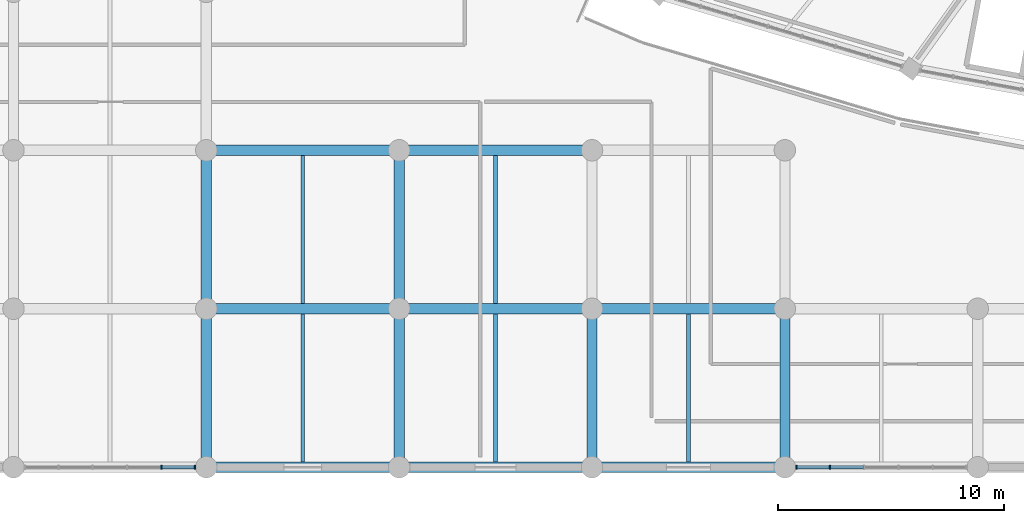
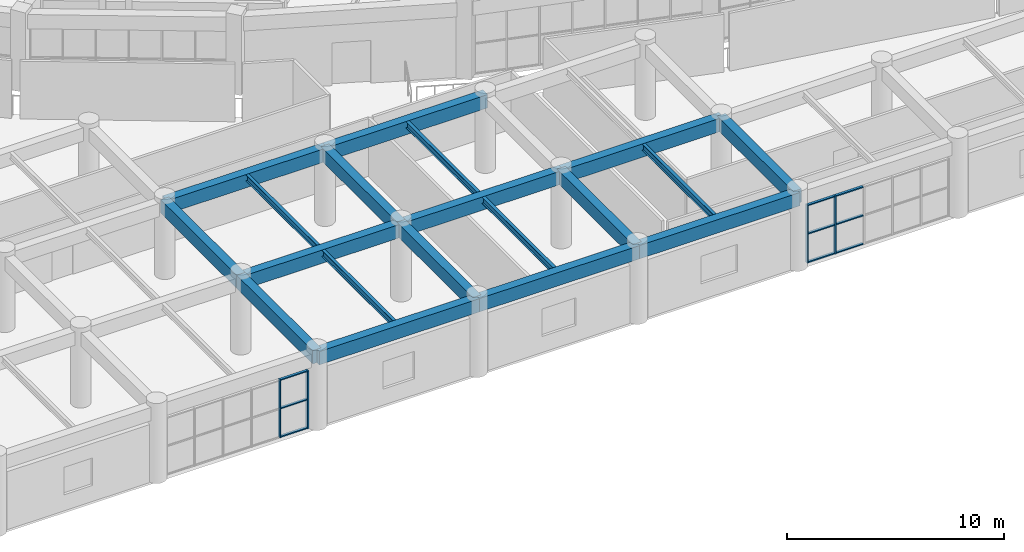
# One storey, part 13 of 141: 19 beams, 13 members, 2 elements without a shape of their own.
"""IFC4 building model written with IfcOpenShell, lengths in metres."""

from ifc_helpers import new_model, si_unit, direction, frame, origin, origin_2d, place, context, subcontext, project, spatial, rectangle, i_section, extrude, material, layer, layer_set, material_profile, profile_set, type_object, element, aggregate, save


model = new_model("IFC4")

# Units and contexts
model_context = context("Model", 3, precision=1e-05, world=origin(), true_north=direction((0.0, 1.0)))
body_context = subcontext(model_context, "Body", "Model", "MODEL_VIEW")
ifc_project = project(units=[si_unit("LENGTHUNIT", "METRE"), si_unit("AREAUNIT", "SQUARE_METRE"), si_unit("VOLUMEUNIT", "CUBIC_METRE"), si_unit("PLANEANGLEUNIT", "RADIAN"), si_unit("MASSUNIT", "GRAM", prefix="KILO")], contexts=[model_context])

# Site, building, storey
site_placement = place(None, origin())
site = spatial("IfcSite", under=ifc_project, at=site_placement, CompositionType="ELEMENT")
building_placement = place(site_placement, origin())
building = spatial("IfcBuilding", under=site, at=building_placement, Name="Mphavela Belvedere Stadium", CompositionType="ELEMENT")
storey_placement = place(building_placement, frame((0.0, 0.0, 14.699951171875)))
storey = spatial("IfcBuildingStorey", under=building, at=storey_placement, Name="L03", CompositionType="ELEMENT", Elevation=14.699951171875)

# Beams
ifc_material_1 = material(Name="Steel S355", Category="steel")
ifc_material_profile_1 = material_profile(ifc_material_1, i_section(OverallWidth=0.169921875, OverallDepth=0.360107421875, WebThickness=0.008056640625, FlangeThickness=0.0126953125, at=origin_2d()), Name="IPE 360")
ifc_profile_set_1 = profile_set([ifc_material_profile_1], Name="Steel S355")
beam_type_1 = type_object("IfcBeamType", Name="BM-JOIST-IPE360", PredefinedType="JOIST", material=ifc_profile_set_1)
for number, where, z_axis, x_axis, name in (
    (1, (38.33349609375, 0.22509765625, 4.06005859375), (0.0, 1.0, 0.0), (-1.0, 0.0, 0.0), "South Axial Triumphal Peristyle Portico secondary joist L03 5-1"),
    (2, (38.33349609375, 7.22509765625, 4.06005859375), (0.0, 1.0, 0.0), (-1.0, 0.0, 0.0), "South Axial Triumphal Peristyle Portico secondary joist L03 5-2"),
    (3, (46.85205078125, 0.22509765625, 4.06005859375), (0.0, 1.0, 0.0), (-1.0, 0.0, 0.0), "South Axial Triumphal Peristyle Portico secondary joist L03 6-1"),
    (4, (46.85205078125, 7.22509765625, 4.06005859375), (0.0, 1.0, 0.0), (-1.0, 0.0, 0.0), "South Axial Triumphal Peristyle Portico secondary joist L03 6-2"),
    (5, (55.37060546875, 0.22509765625, 4.06005859375), (0.0, 1.0, 0.0), (-1.0, 0.0, 0.0), "South Axial Triumphal Peristyle Portico secondary joist L03 7-1"),
):
    element("IfcBeam", number, at=place(storey_placement, frame(where, z_axis=z_axis, x_axis=x_axis)), inside=storey, type_object=beam_type_1, Name=name, PredefinedType="JOIST", context=body_context, shape_type="SweptSolid", body=[
        extrude(i_section(OverallWidth=0.169921875, OverallDepth=0.360107421875, WebThickness=0.008056640625, FlangeThickness=0.0126953125, at=origin_2d()), origin(), (0.0, 0.0, 1.0), 6.5498046875),
    ])
ifc_material_2 = material(Name="Concrete C40/50", Category="concrete")
ifc_material_profile_2 = material_profile(ifc_material_2, rectangle(XDim=0.449951171875, YDim=0.75, at=origin_2d()), Name="RC 450x750")
ifc_profile_set_2 = profile_set([ifc_material_profile_2], Name="Concrete C40/50")
beam_type_2 = type_object("IfcBeamType", Name="BM-RC450x750", PredefinedType="BEAM", material=ifc_profile_set_2)
beam_1_placement = place(storey_placement, frame((34.073974609375, 0.0, 3.864990234375), z_axis=(1.0, 0.0, 0.0), x_axis=(0.0, 1.0, 0.0)))
element("IfcBeam", 6, at=beam_1_placement, inside=storey, type_object=beam_type_2, Name="South Axial Triumphal Peristyle Portico entablature beam X L03 5-1", PredefinedType="BEAM", context=body_context, shape_type="SweptSolid", body=[
    extrude(rectangle(XDim=0.449951171875, YDim=0.75, at=origin_2d()), origin(), (0.0, 0.0, 1.0), 8.51904296875),
])
beam_2_placement = place(storey_placement, frame((34.073974609375, 0.0, 3.864990234375), z_axis=(0.0, 1.0, 0.0), x_axis=(-1.0, 0.0, 0.0)))
element("IfcBeam", 7, at=beam_2_placement, inside=storey, type_object=beam_type_2, Name="South Axial Triumphal Peristyle Portico entablature beam Y L03 5-1", PredefinedType="BEAM", context=body_context, shape_type="SweptSolid", body=[
    extrude(rectangle(XDim=0.449951171875, YDim=0.75, at=origin_2d()), origin(), (0.0, 0.0, 1.0), 7.0),
])
beam_3_placement = place(storey_placement, frame((34.073974609375, 7.0, 3.864990234375), z_axis=(1.0, 0.0, 0.0), x_axis=(0.0, 1.0, 0.0)))
element("IfcBeam", 8, at=beam_3_placement, inside=storey, type_object=beam_type_2, Name="South Axial Triumphal Peristyle Portico entablature beam X L03 5-2", PredefinedType="BEAM", context=body_context, shape_type="SweptSolid", body=[
    extrude(rectangle(XDim=0.449951171875, YDim=0.75, at=origin_2d()), origin(), (0.0, 0.0, 1.0), 8.51904296875),
])
beam_4_placement = place(storey_placement, frame((34.073974609375, 7.0, 3.864990234375), z_axis=(0.0, 1.0, 0.0), x_axis=(-1.0, 0.0, 0.0)))
element("IfcBeam", 9, at=beam_4_placement, inside=storey, type_object=beam_type_2, Name="South Axial Triumphal Peristyle Portico entablature beam Y L03 5-2", PredefinedType="BEAM", context=body_context, shape_type="SweptSolid", body=[
    extrude(rectangle(XDim=0.449951171875, YDim=0.75, at=origin_2d()), origin(), (0.0, 0.0, 1.0), 7.0),
])
beam_5_placement = place(storey_placement, frame((34.073974609375, 14.0, 3.864990234375), z_axis=(1.0, 0.0, 0.0), x_axis=(0.0, 1.0, 0.0)))
element("IfcBeam", 10, at=beam_5_placement, inside=storey, type_object=beam_type_2, Name="South Axial Triumphal Peristyle Portico entablature beam X L03 5-3", PredefinedType="BEAM", context=body_context, shape_type="SweptSolid", body=[
    extrude(rectangle(XDim=0.449951171875, YDim=0.75, at=origin_2d()), origin(), (0.0, 0.0, 1.0), 8.51904296875),
])
beam_6_placement = place(storey_placement, frame((42.593017578125, 0.0, 3.864990234375), z_axis=(1.0, 0.0, 0.0), x_axis=(0.0, 1.0, 0.0)))
element("IfcBeam", 11, at=beam_6_placement, inside=storey, type_object=beam_type_2, Name="South Axial Triumphal Peristyle Portico entablature beam X L03 6-1", PredefinedType="BEAM", context=body_context, shape_type="SweptSolid", body=[
    extrude(rectangle(XDim=0.449951171875, YDim=0.75, at=origin_2d()), origin(), (0.0, 0.0, 1.0), 8.51806640625),
])
beam_7_placement = place(storey_placement, frame((42.593017578125, 0.0, 3.864990234375), z_axis=(0.0, 1.0, 0.0), x_axis=(-1.0, 0.0, 0.0)))
element("IfcBeam", 12, at=beam_7_placement, inside=storey, type_object=beam_type_2, Name="South Axial Triumphal Peristyle Portico entablature beam Y L03 6-1", PredefinedType="BEAM", context=body_context, shape_type="SweptSolid", body=[
    extrude(rectangle(XDim=0.449951171875, YDim=0.75, at=origin_2d()), origin(), (0.0, 0.0, 1.0), 7.0),
])
beam_8_placement = place(storey_placement, frame((42.593017578125, 7.0, 3.864990234375), z_axis=(1.0, 0.0, 0.0), x_axis=(0.0, 1.0, 0.0)))
element("IfcBeam", 13, at=beam_8_placement, inside=storey, type_object=beam_type_2, Name="South Axial Triumphal Peristyle Portico entablature beam X L03 6-2", PredefinedType="BEAM", context=body_context, shape_type="SweptSolid", body=[
    extrude(rectangle(XDim=0.449951171875, YDim=0.75, at=origin_2d()), origin(), (0.0, 0.0, 1.0), 8.51806640625),
])
beam_9_placement = place(storey_placement, frame((42.593017578125, 7.0, 3.864990234375), z_axis=(0.0, 1.0, 0.0), x_axis=(-1.0, 0.0, 0.0)))
element("IfcBeam", 14, at=beam_9_placement, inside=storey, type_object=beam_type_2, Name="South Axial Triumphal Peristyle Portico entablature beam Y L03 6-2", PredefinedType="BEAM", context=body_context, shape_type="SweptSolid", body=[
    extrude(rectangle(XDim=0.449951171875, YDim=0.75, at=origin_2d()), origin(), (0.0, 0.0, 1.0), 7.0),
])
beam_10_placement = place(storey_placement, frame((42.593017578125, 14.0, 3.864990234375), z_axis=(1.0, 0.0, 0.0), x_axis=(0.0, 1.0, 0.0)))
element("IfcBeam", 15, at=beam_10_placement, inside=storey, type_object=beam_type_2, Name="South Axial Triumphal Peristyle Portico entablature beam X L03 6-3", PredefinedType="BEAM", context=body_context, shape_type="SweptSolid", body=[
    extrude(rectangle(XDim=0.449951171875, YDim=0.75, at=origin_2d()), origin(), (0.0, 0.0, 1.0), 8.51806640625),
])
beam_11_placement = place(storey_placement, frame((51.111083984375, 0.0, 3.864990234375), z_axis=(1.0, 0.0, 0.0), x_axis=(0.0, 1.0, 0.0)))
element("IfcBeam", 16, at=beam_11_placement, inside=storey, type_object=beam_type_2, Name="South Axial Triumphal Peristyle Portico entablature beam X L03 7-1", PredefinedType="BEAM", context=body_context, shape_type="SweptSolid", body=[
    extrude(rectangle(XDim=0.449951171875, YDim=0.75, at=origin_2d()), origin(), (0.0, 0.0, 1.0), 8.518798828125),
])
beam_12_placement = place(storey_placement, frame((51.111083984375, 0.0, 3.864990234375), z_axis=(0.0, 1.0, 0.0), x_axis=(-1.0, 0.0, 0.0)))
element("IfcBeam", 17, at=beam_12_placement, inside=storey, type_object=beam_type_2, Name="South Axial Triumphal Peristyle Portico entablature beam Y L03 7-1", PredefinedType="BEAM", context=body_context, shape_type="SweptSolid", body=[
    extrude(rectangle(XDim=0.449951171875, YDim=0.75, at=origin_2d()), origin(), (0.0, 0.0, 1.0), 7.0),
])
beam_13_placement = place(storey_placement, frame((51.111083984375, 7.0, 3.864990234375), z_axis=(1.0, 0.0, 0.0), x_axis=(0.0, 1.0, 0.0)))
element("IfcBeam", 18, at=beam_13_placement, inside=storey, type_object=beam_type_2, Name="South Axial Triumphal Peristyle Portico entablature beam X L03 7-2", PredefinedType="BEAM", context=body_context, shape_type="SweptSolid", body=[
    extrude(rectangle(XDim=0.449951171875, YDim=0.75, at=origin_2d()), origin(), (0.0, 0.0, 1.0), 8.518798828125),
])
beam_14_placement = place(storey_placement, frame((59.6298828125, 0.0, 3.864990234375), z_axis=(0.0, 1.0, 0.0), x_axis=(-1.0, 0.0, 0.0)))
element("IfcBeam", 19, at=beam_14_placement, inside=storey, type_object=beam_type_2, Name="South Axial Triumphal Peristyle Portico entablature beam Y L03 8-1", PredefinedType="BEAM", context=body_context, shape_type="SweptSolid", body=[
    extrude(rectangle(XDim=0.449951171875, YDim=0.75, at=origin_2d()), origin(), (0.0, 0.0, 1.0), 7.0),
])

# Curtain wall, members
ifc_material_3 = material(Name="Anodised bronze unitised curtain wall framing")
ifc_layer_1 = layer(ifc_material_3, 0.199951171875)
ifc_layer_set_1 = layer_set([ifc_layer_1], Name="Anodised bronze unitised curtain wall framing")
curtain_wall_type_1 = type_object("IfcCurtainWallType", Name="CW-UNIT-05", PredefinedType="USERDEFINED", material=ifc_layer_set_1)
curtain_wall_1_placement = place(storey_placement, origin())
curtain_wall_1 = element("IfcCurtainWall", 20, at=curtain_wall_1_placement, inside=storey, type_object=curtain_wall_type_1, Name="South Axial Triumphal Peristyle Portico gallery curtain wall L03-04", ObjectType="UNITISED CURTAIN WALL", PredefinedType="USERDEFINED")
ifc_material_4 = material(Name="Anodised bronze extruded aluminium", Category="aluminium")
ifc_material_profile_3 = material_profile(ifc_material_4, rectangle(XDim=0.179931640625, YDim=0.06494140625, at=origin_2d()), Name="CW-MUL 180x65")
ifc_profile_set_3 = profile_set([ifc_material_profile_3], Name="Anodised bronze extruded aluminium")
member_type_1 = type_object("IfcMemberType", Name="CWM-180x65", PredefinedType="MULLION", material=ifc_profile_set_3)
member_1_placement = place(storey_placement, frame((33.568603515625, 0.0, 0.0), z_axis=(0.0, 0.0, 1.0), x_axis=(0.0, -1.0, 0.0)))
member_1 = element("IfcMember", 21, at=member_1_placement, type_object=member_type_1, Name="CW-05 mullion 1", PredefinedType="MULLION", context=body_context, shape_type="SweptSolid", body=[
    extrude(rectangle(XDim=0.179931640625, YDim=0.06494140625, at=origin_2d()), origin(), (0.0, 0.0, 1.0), 3.260009765625),
])
member_2_placement = place(storey_placement, frame((32.086669921875, 0.0, 0.0), z_axis=(0.0, 0.0, 1.0), x_axis=(0.0, -1.0, 0.0)))
member_2 = element("IfcMember", 22, at=member_2_placement, type_object=member_type_1, Name="CW-05 mullion 2", PredefinedType="MULLION", context=body_context, shape_type="SweptSolid", body=[
    extrude(rectangle(XDim=0.179931640625, YDim=0.06494140625, at=origin_2d()), origin(), (0.0, 0.0, 1.0), 3.260009765625),
])

ifc_material_5 = material(Name="Anodised bronze unitised curtain wall framing")
ifc_layer_2 = layer(ifc_material_5, 0.205078125)
ifc_layer_set_2 = layer_set([ifc_layer_2], Name="Anodised bronze unitised curtain wall framing")
curtain_wall_type_2 = type_object("IfcCurtainWallType", Name="CW-UNIT-06", PredefinedType="USERDEFINED", material=ifc_layer_set_2)
curtain_wall_2_placement = place(storey_placement, origin())
curtain_wall_2 = element("IfcCurtainWall", 23, at=curtain_wall_2_placement, inside=storey, type_object=curtain_wall_type_2, Name="South Axial Triumphal Peristyle Portico gallery curtain wall L03-08", ObjectType="UNITISED CURTAIN WALL", PredefinedType="USERDEFINED")
member_3_placement = place(storey_placement, frame((61.617431640625, 0.0, 0.0), z_axis=(0.0, 0.0, 1.0), x_axis=(0.0, -1.0, 0.0)))
member_3 = element("IfcMember", 24, at=member_3_placement, type_object=member_type_1, Name="CW-06 mullion 5", PredefinedType="MULLION", context=body_context, shape_type="SweptSolid", body=[
    extrude(rectangle(XDim=0.179931640625, YDim=0.06494140625, at=origin_2d()), origin(), (0.0, 0.0, 1.0), 3.260009765625),
])
member_4_placement = place(storey_placement, frame((60.135498046875, 0.0, 0.0), z_axis=(0.0, 0.0, 1.0), x_axis=(0.0, -1.0, 0.0)))
member_4 = element("IfcMember", 25, at=member_4_placement, type_object=member_type_1, Name="CW-06 mullion 6", PredefinedType="MULLION", context=body_context, shape_type="SweptSolid", body=[
    extrude(rectangle(XDim=0.179931640625, YDim=0.06494140625, at=origin_2d()), origin(), (0.0, 0.0, 1.0), 3.260009765625),
])

# Member
ifc_material_6 = material(Name="Anodised bronze extruded aluminium", Category="aluminium")
ifc_material_profile_4 = material_profile(ifc_material_6, rectangle(XDim=0.139892578125, YDim=0.06005859375, at=origin_2d()), Name="CW-TRN 140x60")
ifc_profile_set_4 = profile_set([ifc_material_profile_4], Name="Anodised bronze extruded aluminium")
member_type_2 = type_object("IfcMemberType", Name="CWT-140x60", PredefinedType="USERDEFINED", material=ifc_profile_set_4)
member_5_placement = place(storey_placement, frame((33.535888671875, 0.0, 0.030029296875), z_axis=(-1.0, 0.0, 0.0), x_axis=(0.0, -1.0, 0.0)))
member_5 = element("IfcMember", 26, at=member_5_placement, type_object=member_type_2, Name="CW-05 transom 1.1", ObjectType="TRANSOM", PredefinedType="USERDEFINED", context=body_context, shape_type="SweptSolid", body=[
    extrude(rectangle(XDim=0.139892578125, YDim=0.06005859375, at=origin_2d()), origin(), (0.0, 0.0, 1.0), 1.416748046875),
])

member_6_placement = place(storey_placement, frame((33.535888671875, 0.0, 1.630126953125), z_axis=(-1.0, 0.0, 0.0), x_axis=(0.0, -1.0, 0.0)))
member_6 = element("IfcMember", 27, at=member_6_placement, type_object=member_type_2, Name="CW-05 transom 1.2", ObjectType="TRANSOM", PredefinedType="USERDEFINED", context=body_context, shape_type="SweptSolid", body=[
    extrude(rectangle(XDim=0.139892578125, YDim=0.06005859375, at=origin_2d()), origin(), (0.0, 0.0, 1.0), 1.416748046875),
])

member_7_placement = place(storey_placement, frame((33.535888671875, 0.0, 3.22998046875), z_axis=(-1.0, 0.0, 0.0), x_axis=(0.0, -1.0, 0.0)))
member_7 = element("IfcMember", 28, at=member_7_placement, type_object=member_type_2, Name="CW-05 transom 1.3", ObjectType="TRANSOM", PredefinedType="USERDEFINED", context=body_context, shape_type="SweptSolid", body=[
    extrude(rectangle(XDim=0.139892578125, YDim=0.06005859375, at=origin_2d()), origin(), (0.0, 0.0, 1.0), 1.416748046875),
])

aggregate(curtain_wall_1, [member_1, member_2, member_5, member_6, member_7])

member_8_placement = place(storey_placement, frame((63.099365234375, 0.0, 0.030029296875), z_axis=(-1.0, 0.0, 0.0), x_axis=(0.0, -1.0, 0.0)))
member_8 = element("IfcMember", 29, at=member_8_placement, type_object=member_type_2, Name="CW-06 transom 4.1", ObjectType="TRANSOM", PredefinedType="USERDEFINED", context=body_context, shape_type="SweptSolid", body=[
    extrude(rectangle(XDim=0.139892578125, YDim=0.06005859375, at=origin_2d()), origin(), (0.0, 0.0, 1.0), 1.449462890625),
])

member_9_placement = place(storey_placement, frame((63.099365234375, 0.0, 1.630126953125), z_axis=(-1.0, 0.0, 0.0), x_axis=(0.0, -1.0, 0.0)))
member_9 = element("IfcMember", 30, at=member_9_placement, type_object=member_type_2, Name="CW-06 transom 4.2", ObjectType="TRANSOM", PredefinedType="USERDEFINED", context=body_context, shape_type="SweptSolid", body=[
    extrude(rectangle(XDim=0.139892578125, YDim=0.06005859375, at=origin_2d()), origin(), (0.0, 0.0, 1.0), 1.449462890625),
])

member_10_placement = place(storey_placement, frame((63.099365234375, 0.0, 3.22998046875), z_axis=(-1.0, 0.0, 0.0), x_axis=(0.0, -1.0, 0.0)))
member_10 = element("IfcMember", 31, at=member_10_placement, type_object=member_type_2, Name="CW-06 transom 4.3", ObjectType="TRANSOM", PredefinedType="USERDEFINED", context=body_context, shape_type="SweptSolid", body=[
    extrude(rectangle(XDim=0.139892578125, YDim=0.06005859375, at=origin_2d()), origin(), (0.0, 0.0, 1.0), 1.449462890625),
])

member_11_placement = place(storey_placement, frame((61.5849609375, 0.0, 0.030029296875), z_axis=(-1.0, 0.0, 0.0), x_axis=(0.0, -1.0, 0.0)))
member_11 = element("IfcMember", 32, at=member_11_placement, type_object=member_type_2, Name="CW-06 transom 5.1", ObjectType="TRANSOM", PredefinedType="USERDEFINED", context=body_context, shape_type="SweptSolid", body=[
    extrude(rectangle(XDim=0.139892578125, YDim=0.06005859375, at=origin_2d()), origin(), (0.0, 0.0, 1.0), 1.4169921875),
])

member_12_placement = place(storey_placement, frame((61.5849609375, 0.0, 1.630126953125), z_axis=(-1.0, 0.0, 0.0), x_axis=(0.0, -1.0, 0.0)))
member_12 = element("IfcMember", 33, at=member_12_placement, type_object=member_type_2, Name="CW-06 transom 5.2", ObjectType="TRANSOM", PredefinedType="USERDEFINED", context=body_context, shape_type="SweptSolid", body=[
    extrude(rectangle(XDim=0.139892578125, YDim=0.06005859375, at=origin_2d()), origin(), (0.0, 0.0, 1.0), 1.4169921875),
])

member_13_placement = place(storey_placement, frame((61.5849609375, 0.0, 3.22998046875), z_axis=(-1.0, 0.0, 0.0), x_axis=(0.0, -1.0, 0.0)))
member_13 = element("IfcMember", 34, at=member_13_placement, type_object=member_type_2, Name="CW-06 transom 5.3", ObjectType="TRANSOM", PredefinedType="USERDEFINED", context=body_context, shape_type="SweptSolid", body=[
    extrude(rectangle(XDim=0.139892578125, YDim=0.06005859375, at=origin_2d()), origin(), (0.0, 0.0, 1.0), 1.4169921875),
])

aggregate(curtain_wall_2, [member_3, member_4, member_8, member_9, member_10, member_11, member_12, member_13])

save(model, "model.ifc")
